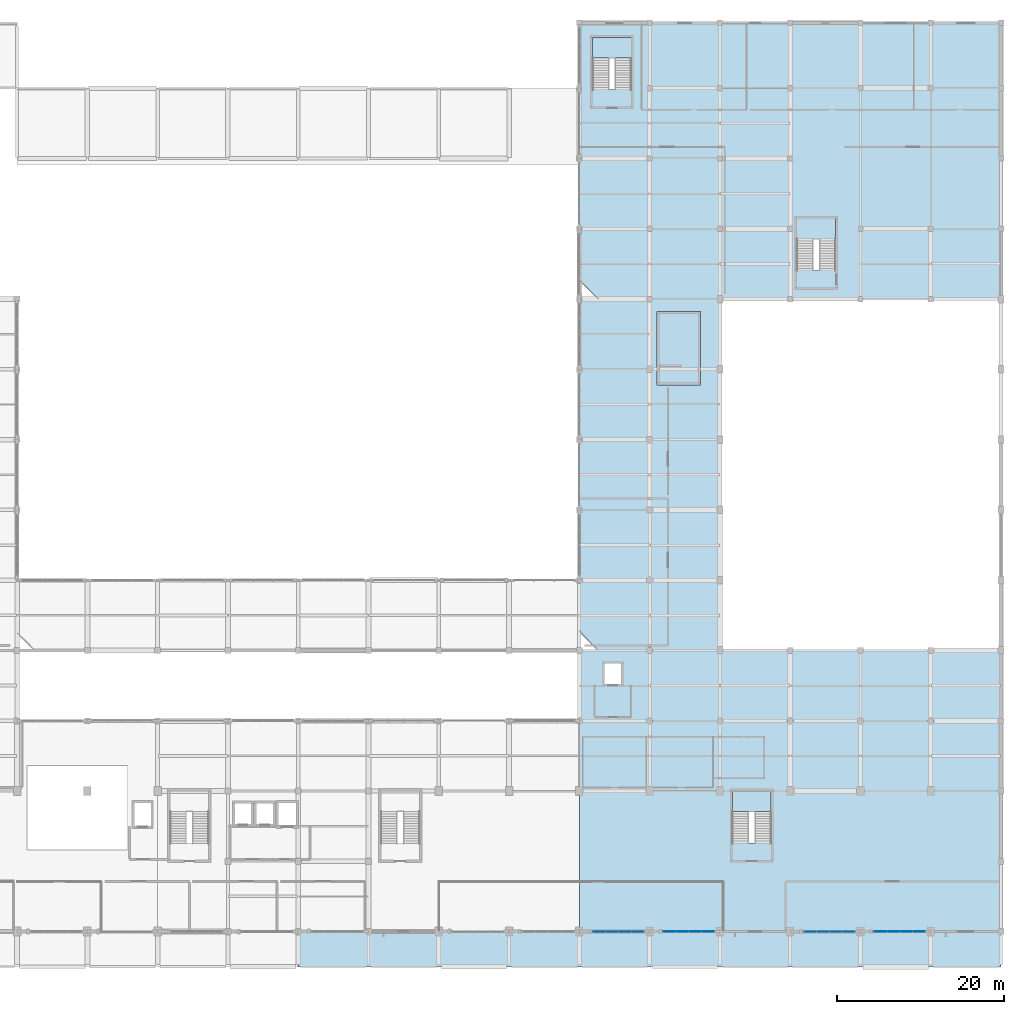
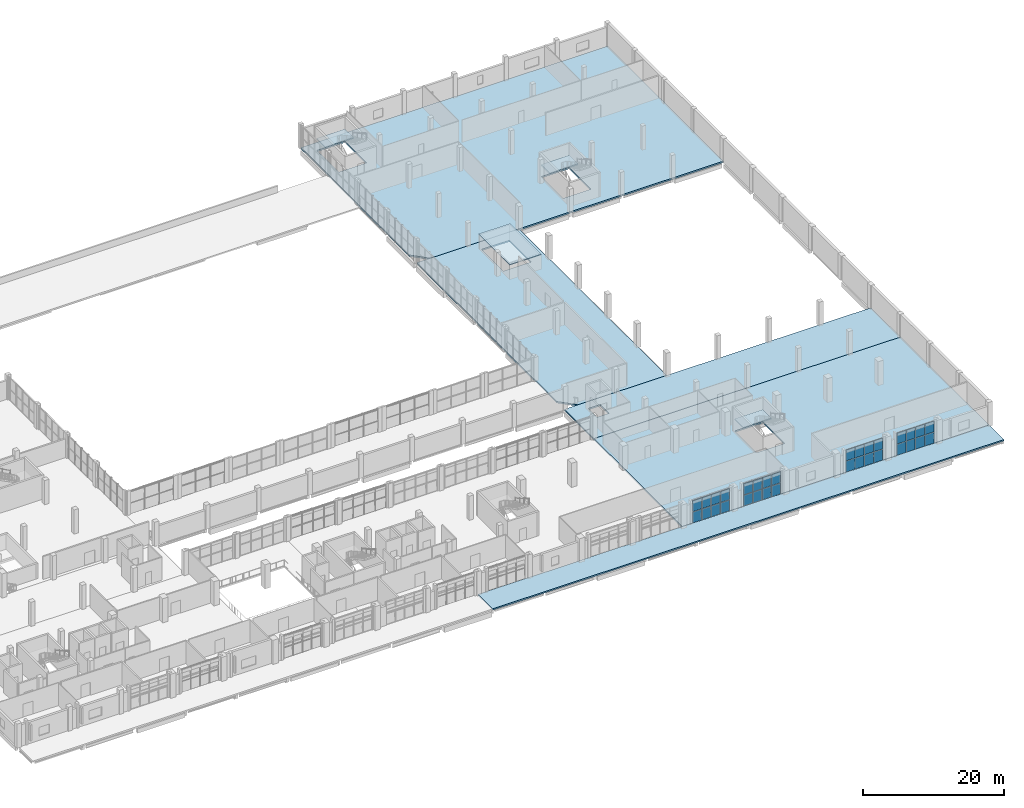
# One storey, part 45 of 59: 32 plates, 9 slabs, 7 elements without a shape of their own.
"""IFC4 building model written with IfcOpenShell, lengths in metres."""

from ifc_helpers import new_model, si_unit, derived_unit, direction, frame, origin, origin_2d, place, context, subcontext, project, spatial, polyline, rectangle, outline, extrude, material, layer, layer_set, type_object, element, aggregate, save


model = new_model("IFC4")

# Units and contexts
model_context = context("Model", 3, precision=1e-05, world=origin(), true_north=direction((0.0, 1.0)))
body_context = subcontext(model_context, "Body", "Model", "MODEL_VIEW")
ifc_project = project(units=[si_unit("LENGTHUNIT", "METRE"), si_unit("AREAUNIT", "SQUARE_METRE"), si_unit("VOLUMEUNIT", "CUBIC_METRE"), si_unit("PLANEANGLEUNIT", "RADIAN"), si_unit("MASSUNIT", "GRAM", prefix="KILO"), derived_unit("THERMALTRANSMITTANCEUNIT", [(si_unit("POWERUNIT", "WATT"), 1), (si_unit("LENGTHUNIT", "METRE"), -2), (si_unit("THERMODYNAMICTEMPERATUREUNIT", "KELVIN"), -1)])], contexts=[model_context])

# Site, building, storey
site_placement = place(None, origin())
site = spatial("IfcSite", under=ifc_project, at=site_placement, CompositionType="ELEMENT")
building_placement = place(site_placement, origin())
building = spatial("IfcBuilding", under=site, at=building_placement, Name="Barrovel Congress Hotel", CompositionType="ELEMENT")
storey_placement = place(building_placement, frame((0.0, 0.0, 9.89990234375)))
storey = spatial("IfcBuildingStorey", under=building, at=storey_placement, Name="L02", CompositionType="ELEMENT", Elevation=9.89990234375)

# Curtain wall, plates
ifc_material_1 = material(Name="Anodised Aluminium Alloy 6063-T6", Category="aluminium")
curtain_wall_type = type_object("IfcCurtainWallType", Name="CW-ST-7200x3600", PredefinedType="USERDEFINED", material=ifc_material_1)
curtain_wall_1_placement = place(storey_placement, origin())
curtain_wall_1 = element("IfcCurtainWall", 1, at=curtain_wall_1_placement, inside=storey, type_object=curtain_wall_type, Name="CW:L02:S:15", ObjectType="STICK CURTAIN WALL", PredefinedType="USERDEFINED")
ifc_material_2 = material(Name="Double Low-E Insulated Glazing", Category="glass")
ifc_layer_1 = layer(ifc_material_2, 0.028076171875)
ifc_layer_set_1 = layer_set([ifc_layer_1], Name="Double Low-E Insulated Glazing")
plate_type_1 = type_object("IfcPlateType", Name="CWP-28", PredefinedType="CURTAIN_PANEL", material=ifc_layer_set_1)
plate_1_placement = place(storey_placement, frame((128.385009765625, 4.199951171875, 0.030029296875), z_axis=(0.0, 0.0, 1.0), x_axis=(1.0, 0.0, 0.0)))
plate_1 = element("IfcPlate", 2, at=plate_1_placement, type_object=plate_type_1, Name="CW:L02:S:15:P0-0", PredefinedType="CURTAIN_PANEL", context=body_context, shape_type="SweptSolid", body=[
    extrude(rectangle(XDim=1.469970703125, YDim=0.028076171875, at=origin_2d()), origin(), (0.0, 0.0, 1.0), 1.89990234375),
])
plate_2_placement = place(storey_placement, frame((128.385009765625, 4.199951171875, 1.990234375), z_axis=(0.0, 0.0, 1.0), x_axis=(1.0, 0.0, 0.0)))
plate_2 = element("IfcPlate", 3, at=plate_2_placement, type_object=plate_type_1, Name="CW:L02:S:15:P0-1", PredefinedType="CURTAIN_PANEL", context=body_context, shape_type="SweptSolid", body=[
    extrude(rectangle(XDim=1.469970703125, YDim=0.028076171875, at=origin_2d()), origin(), (0.0, 0.0, 1.0), 1.89990234375),
])
plate_3_placement = place(storey_placement, frame((129.9150390625, 4.199951171875, 0.030029296875), z_axis=(0.0, 0.0, 1.0), x_axis=(1.0, 0.0, 0.0)))
plate_3 = element("IfcPlate", 4, at=plate_3_placement, type_object=plate_type_1, Name="CW:L02:S:15:P1-0", PredefinedType="CURTAIN_PANEL", context=body_context, shape_type="SweptSolid", body=[
    extrude(rectangle(XDim=1.469970703125, YDim=0.028076171875, at=origin_2d()), origin(), (0.0, 0.0, 1.0), 1.89990234375),
])
plate_4_placement = place(storey_placement, frame((129.9150390625, 4.199951171875, 1.990234375), z_axis=(0.0, 0.0, 1.0), x_axis=(1.0, 0.0, 0.0)))
plate_4 = element("IfcPlate", 5, at=plate_4_placement, type_object=plate_type_1, Name="CW:L02:S:15:P1-1", PredefinedType="CURTAIN_PANEL", context=body_context, shape_type="SweptSolid", body=[
    extrude(rectangle(XDim=1.469970703125, YDim=0.028076171875, at=origin_2d()), origin(), (0.0, 0.0, 1.0), 1.89990234375),
])
plate_5_placement = place(storey_placement, frame((131.445068359375, 4.199951171875, 0.030029296875), z_axis=(0.0, 0.0, 1.0), x_axis=(1.0, 0.0, 0.0)))
plate_5 = element("IfcPlate", 6, at=plate_5_placement, type_object=plate_type_1, Name="CW:L02:S:15:P2-0", PredefinedType="CURTAIN_PANEL", context=body_context, shape_type="SweptSolid", body=[
    extrude(rectangle(XDim=1.469970703125, YDim=0.028076171875, at=origin_2d()), origin(), (0.0, 0.0, 1.0), 1.89990234375),
])
plate_6_placement = place(storey_placement, frame((131.445068359375, 4.199951171875, 1.990234375), z_axis=(0.0, 0.0, 1.0), x_axis=(1.0, 0.0, 0.0)))
plate_6 = element("IfcPlate", 7, at=plate_6_placement, type_object=plate_type_1, Name="CW:L02:S:15:P2-1", PredefinedType="CURTAIN_PANEL", context=body_context, shape_type="SweptSolid", body=[
    extrude(rectangle(XDim=1.469970703125, YDim=0.028076171875, at=origin_2d()), origin(), (0.0, 0.0, 1.0), 1.89990234375),
])
plate_7_placement = place(storey_placement, frame((132.97509765625, 4.199951171875, 0.030029296875), z_axis=(0.0, 0.0, 1.0), x_axis=(1.0, 0.0, 0.0)))
plate_7 = element("IfcPlate", 8, at=plate_7_placement, type_object=plate_type_1, Name="CW:L02:S:15:P3-0", PredefinedType="CURTAIN_PANEL", context=body_context, shape_type="SweptSolid", body=[
    extrude(rectangle(XDim=1.469970703125, YDim=0.028076171875, at=origin_2d()), origin(), (0.0, 0.0, 1.0), 1.89990234375),
])
plate_8_placement = place(storey_placement, frame((132.97509765625, 4.199951171875, 1.990234375), z_axis=(0.0, 0.0, 1.0), x_axis=(1.0, 0.0, 0.0)))
plate_8 = element("IfcPlate", 9, at=plate_8_placement, type_object=plate_type_1, Name="CW:L02:S:15:P3-1", PredefinedType="CURTAIN_PANEL", context=body_context, shape_type="SweptSolid", body=[
    extrude(rectangle(XDim=1.469970703125, YDim=0.028076171875, at=origin_2d()), origin(), (0.0, 0.0, 1.0), 1.89990234375),
])
aggregate(curtain_wall_1, [plate_1, plate_2, plate_3, plate_4, plate_5, plate_6, plate_7, plate_8])

curtain_wall_2_placement = place(storey_placement, origin())
curtain_wall_2 = element("IfcCurtainWall", 10, at=curtain_wall_2_placement, inside=storey, type_object=curtain_wall_type, Name="CW:L02:S:18", ObjectType="STICK CURTAIN WALL", PredefinedType="USERDEFINED")
plate_9_placement = place(storey_placement, frame((153.5849609375, 4.199951171875, 0.030029296875), z_axis=(0.0, 0.0, 1.0), x_axis=(1.0, 0.0, 0.0)))
plate_9 = element("IfcPlate", 11, at=plate_9_placement, type_object=plate_type_1, Name="CW:L02:S:18:P0-0", PredefinedType="CURTAIN_PANEL", context=body_context, shape_type="SweptSolid", body=[
    extrude(rectangle(XDim=1.469970703125, YDim=0.028076171875, at=origin_2d()), origin(), (0.0, 0.0, 1.0), 1.89990234375),
])
plate_10_placement = place(storey_placement, frame((153.5849609375, 4.199951171875, 1.990234375), z_axis=(0.0, 0.0, 1.0), x_axis=(1.0, 0.0, 0.0)))
plate_10 = element("IfcPlate", 12, at=plate_10_placement, type_object=plate_type_1, Name="CW:L02:S:18:P0-1", PredefinedType="CURTAIN_PANEL", context=body_context, shape_type="SweptSolid", body=[
    extrude(rectangle(XDim=1.469970703125, YDim=0.028076171875, at=origin_2d()), origin(), (0.0, 0.0, 1.0), 1.89990234375),
])
plate_11_placement = place(storey_placement, frame((155.114990234375, 4.199951171875, 0.030029296875), z_axis=(0.0, 0.0, 1.0), x_axis=(1.0, 0.0, 0.0)))
plate_11 = element("IfcPlate", 13, at=plate_11_placement, type_object=plate_type_1, Name="CW:L02:S:18:P1-0", PredefinedType="CURTAIN_PANEL", context=body_context, shape_type="SweptSolid", body=[
    extrude(rectangle(XDim=1.469970703125, YDim=0.028076171875, at=origin_2d()), origin(), (0.0, 0.0, 1.0), 1.89990234375),
])
plate_12_placement = place(storey_placement, frame((155.114990234375, 4.199951171875, 1.990234375), z_axis=(0.0, 0.0, 1.0), x_axis=(1.0, 0.0, 0.0)))
plate_12 = element("IfcPlate", 14, at=plate_12_placement, type_object=plate_type_1, Name="CW:L02:S:18:P1-1", PredefinedType="CURTAIN_PANEL", context=body_context, shape_type="SweptSolid", body=[
    extrude(rectangle(XDim=1.469970703125, YDim=0.028076171875, at=origin_2d()), origin(), (0.0, 0.0, 1.0), 1.89990234375),
])
plate_13_placement = place(storey_placement, frame((156.64501953125, 4.199951171875, 0.030029296875), z_axis=(0.0, 0.0, 1.0), x_axis=(1.0, 0.0, 0.0)))
plate_13 = element("IfcPlate", 15, at=plate_13_placement, type_object=plate_type_1, Name="CW:L02:S:18:P2-0", PredefinedType="CURTAIN_PANEL", context=body_context, shape_type="SweptSolid", body=[
    extrude(rectangle(XDim=1.469970703125, YDim=0.028076171875, at=origin_2d()), origin(), (0.0, 0.0, 1.0), 1.89990234375),
])
plate_14_placement = place(storey_placement, frame((156.64501953125, 4.199951171875, 1.990234375), z_axis=(0.0, 0.0, 1.0), x_axis=(1.0, 0.0, 0.0)))
plate_14 = element("IfcPlate", 16, at=plate_14_placement, type_object=plate_type_1, Name="CW:L02:S:18:P2-1", PredefinedType="CURTAIN_PANEL", context=body_context, shape_type="SweptSolid", body=[
    extrude(rectangle(XDim=1.469970703125, YDim=0.028076171875, at=origin_2d()), origin(), (0.0, 0.0, 1.0), 1.89990234375),
])
plate_15_placement = place(storey_placement, frame((158.175048828125, 4.199951171875, 0.030029296875), z_axis=(0.0, 0.0, 1.0), x_axis=(1.0, 0.0, 0.0)))
plate_15 = element("IfcPlate", 17, at=plate_15_placement, type_object=plate_type_1, Name="CW:L02:S:18:P3-0", PredefinedType="CURTAIN_PANEL", context=body_context, shape_type="SweptSolid", body=[
    extrude(rectangle(XDim=1.469970703125, YDim=0.028076171875, at=origin_2d()), origin(), (0.0, 0.0, 1.0), 1.89990234375),
])
plate_16_placement = place(storey_placement, frame((158.175048828125, 4.199951171875, 1.990234375), z_axis=(0.0, 0.0, 1.0), x_axis=(1.0, 0.0, 0.0)))
plate_16 = element("IfcPlate", 18, at=plate_16_placement, type_object=plate_type_1, Name="CW:L02:S:18:P3-1", PredefinedType="CURTAIN_PANEL", context=body_context, shape_type="SweptSolid", body=[
    extrude(rectangle(XDim=1.469970703125, YDim=0.028076171875, at=origin_2d()), origin(), (0.0, 0.0, 1.0), 1.89990234375),
])
aggregate(curtain_wall_2, [plate_9, plate_10, plate_11, plate_12, plate_13, plate_14, plate_15, plate_16])

curtain_wall_3_placement = place(storey_placement, origin())
curtain_wall_3 = element("IfcCurtainWall", 19, at=curtain_wall_3_placement, inside=storey, type_object=curtain_wall_type, Name="CW:L02:S:16", ObjectType="STICK CURTAIN WALL", PredefinedType="USERDEFINED")
ifc_layer_2 = layer(ifc_material_2, 0.031982421875)
ifc_layer_set_2 = layer_set([ifc_layer_2], Name="Double Low-E Insulated Glazing")
plate_type_2 = type_object("IfcPlateType", Name="CWP-32", PredefinedType="CURTAIN_PANEL", material=ifc_layer_set_2)
plate_17_placement = place(storey_placement, frame((136.784912109375, 4.199951171875, 0.030029296875), z_axis=(0.0, 0.0, 1.0), x_axis=(1.0, 0.0, 0.0)))
plate_17 = element("IfcPlate", 20, at=plate_17_placement, type_object=plate_type_2, Name="CW:L02:S:16:P0-0", PredefinedType="CURTAIN_PANEL", context=body_context, shape_type="SweptSolid", body=[
    extrude(rectangle(XDim=1.469970703125, YDim=0.031982421875, at=origin_2d()), origin(), (0.0, 0.0, 1.0), 1.89990234375),
])
plate_18_placement = place(storey_placement, frame((136.784912109375, 4.199951171875, 1.990234375), z_axis=(0.0, 0.0, 1.0), x_axis=(1.0, 0.0, 0.0)))
plate_18 = element("IfcPlate", 21, at=plate_18_placement, type_object=plate_type_2, Name="CW:L02:S:16:P0-1", PredefinedType="CURTAIN_PANEL", context=body_context, shape_type="SweptSolid", body=[
    extrude(rectangle(XDim=1.469970703125, YDim=0.031982421875, at=origin_2d()), origin(), (0.0, 0.0, 1.0), 1.89990234375),
])
plate_19_placement = place(storey_placement, frame((138.31494140625, 4.199951171875, 0.030029296875), z_axis=(0.0, 0.0, 1.0), x_axis=(1.0, 0.0, 0.0)))
plate_19 = element("IfcPlate", 22, at=plate_19_placement, type_object=plate_type_2, Name="CW:L02:S:16:P1-0", PredefinedType="CURTAIN_PANEL", context=body_context, shape_type="SweptSolid", body=[
    extrude(rectangle(XDim=1.469970703125, YDim=0.031982421875, at=origin_2d()), origin(), (0.0, 0.0, 1.0), 1.89990234375),
])
plate_20_placement = place(storey_placement, frame((138.31494140625, 4.199951171875, 1.990234375), z_axis=(0.0, 0.0, 1.0), x_axis=(1.0, 0.0, 0.0)))
plate_20 = element("IfcPlate", 23, at=plate_20_placement, type_object=plate_type_2, Name="CW:L02:S:16:P1-1", PredefinedType="CURTAIN_PANEL", context=body_context, shape_type="SweptSolid", body=[
    extrude(rectangle(XDim=1.469970703125, YDim=0.031982421875, at=origin_2d()), origin(), (0.0, 0.0, 1.0), 1.89990234375),
])
plate_21_placement = place(storey_placement, frame((139.844970703125, 4.199951171875, 0.030029296875), z_axis=(0.0, 0.0, 1.0), x_axis=(1.0, 0.0, 0.0)))
plate_21 = element("IfcPlate", 24, at=plate_21_placement, type_object=plate_type_2, Name="CW:L02:S:16:P2-0", PredefinedType="CURTAIN_PANEL", context=body_context, shape_type="SweptSolid", body=[
    extrude(rectangle(XDim=1.469970703125, YDim=0.031982421875, at=origin_2d()), origin(), (0.0, 0.0, 1.0), 1.89990234375),
])
plate_22_placement = place(storey_placement, frame((139.844970703125, 4.199951171875, 1.990234375), z_axis=(0.0, 0.0, 1.0), x_axis=(1.0, 0.0, 0.0)))
plate_22 = element("IfcPlate", 25, at=plate_22_placement, type_object=plate_type_2, Name="CW:L02:S:16:P2-1", PredefinedType="CURTAIN_PANEL", context=body_context, shape_type="SweptSolid", body=[
    extrude(rectangle(XDim=1.469970703125, YDim=0.031982421875, at=origin_2d()), origin(), (0.0, 0.0, 1.0), 1.89990234375),
])
plate_23_placement = place(storey_placement, frame((141.375, 4.199951171875, 0.030029296875), z_axis=(0.0, 0.0, 1.0), x_axis=(1.0, 0.0, 0.0)))
plate_23 = element("IfcPlate", 26, at=plate_23_placement, type_object=plate_type_2, Name="CW:L02:S:16:P3-0", PredefinedType="CURTAIN_PANEL", context=body_context, shape_type="SweptSolid", body=[
    extrude(rectangle(XDim=1.469970703125, YDim=0.031982421875, at=origin_2d()), origin(), (0.0, 0.0, 1.0), 1.89990234375),
])
plate_24_placement = place(storey_placement, frame((141.375, 4.199951171875, 1.990234375), z_axis=(0.0, 0.0, 1.0), x_axis=(1.0, 0.0, 0.0)))
plate_24 = element("IfcPlate", 27, at=plate_24_placement, type_object=plate_type_2, Name="CW:L02:S:16:P3-1", PredefinedType="CURTAIN_PANEL", context=body_context, shape_type="SweptSolid", body=[
    extrude(rectangle(XDim=1.469970703125, YDim=0.031982421875, at=origin_2d()), origin(), (0.0, 0.0, 1.0), 1.89990234375),
])
aggregate(curtain_wall_3, [plate_17, plate_18, plate_19, plate_20, plate_21, plate_22, plate_23, plate_24])

curtain_wall_4_placement = place(storey_placement, origin())
curtain_wall_4 = element("IfcCurtainWall", 28, at=curtain_wall_4_placement, inside=storey, type_object=curtain_wall_type, Name="CW:L02:S:19", ObjectType="STICK CURTAIN WALL", PredefinedType="USERDEFINED")
plate_25_placement = place(storey_placement, frame((161.985107421875, 4.199951171875, 0.030029296875), z_axis=(0.0, 0.0, 1.0), x_axis=(1.0, 0.0, 0.0)))
plate_25 = element("IfcPlate", 29, at=plate_25_placement, type_object=plate_type_2, Name="CW:L02:S:19:P0-0", PredefinedType="CURTAIN_PANEL", context=body_context, shape_type="SweptSolid", body=[
    extrude(rectangle(XDim=1.469970703125, YDim=0.031982421875, at=origin_2d()), origin(), (0.0, 0.0, 1.0), 1.89990234375),
])
plate_26_placement = place(storey_placement, frame((161.985107421875, 4.199951171875, 1.990234375), z_axis=(0.0, 0.0, 1.0), x_axis=(1.0, 0.0, 0.0)))
plate_26 = element("IfcPlate", 30, at=plate_26_placement, type_object=plate_type_2, Name="CW:L02:S:19:P0-1", PredefinedType="CURTAIN_PANEL", context=body_context, shape_type="SweptSolid", body=[
    extrude(rectangle(XDim=1.469970703125, YDim=0.031982421875, at=origin_2d()), origin(), (0.0, 0.0, 1.0), 1.89990234375),
])
plate_27_placement = place(storey_placement, frame((163.514892578125, 4.199951171875, 0.030029296875), z_axis=(0.0, 0.0, 1.0), x_axis=(1.0, 0.0, 0.0)))
plate_27 = element("IfcPlate", 31, at=plate_27_placement, type_object=plate_type_2, Name="CW:L02:S:19:P1-0", PredefinedType="CURTAIN_PANEL", context=body_context, shape_type="SweptSolid", body=[
    extrude(rectangle(XDim=1.469970703125, YDim=0.031982421875, at=origin_2d()), origin(), (0.0, 0.0, 1.0), 1.89990234375),
])
plate_28_placement = place(storey_placement, frame((163.514892578125, 4.199951171875, 1.990234375), z_axis=(0.0, 0.0, 1.0), x_axis=(1.0, 0.0, 0.0)))
plate_28 = element("IfcPlate", 32, at=plate_28_placement, type_object=plate_type_2, Name="CW:L02:S:19:P1-1", PredefinedType="CURTAIN_PANEL", context=body_context, shape_type="SweptSolid", body=[
    extrude(rectangle(XDim=1.469970703125, YDim=0.031982421875, at=origin_2d()), origin(), (0.0, 0.0, 1.0), 1.89990234375),
])
plate_29_placement = place(storey_placement, frame((165.044921875, 4.199951171875, 0.030029296875), z_axis=(0.0, 0.0, 1.0), x_axis=(1.0, 0.0, 0.0)))
plate_29 = element("IfcPlate", 33, at=plate_29_placement, type_object=plate_type_2, Name="CW:L02:S:19:P2-0", PredefinedType="CURTAIN_PANEL", context=body_context, shape_type="SweptSolid", body=[
    extrude(rectangle(XDim=1.469970703125, YDim=0.031982421875, at=origin_2d()), origin(), (0.0, 0.0, 1.0), 1.89990234375),
])
plate_30_placement = place(storey_placement, frame((165.044921875, 4.199951171875, 1.990234375), z_axis=(0.0, 0.0, 1.0), x_axis=(1.0, 0.0, 0.0)))
plate_30 = element("IfcPlate", 34, at=plate_30_placement, type_object=plate_type_2, Name="CW:L02:S:19:P2-1", PredefinedType="CURTAIN_PANEL", context=body_context, shape_type="SweptSolid", body=[
    extrude(rectangle(XDim=1.469970703125, YDim=0.031982421875, at=origin_2d()), origin(), (0.0, 0.0, 1.0), 1.89990234375),
])
plate_31_placement = place(storey_placement, frame((166.574951171875, 4.199951171875, 0.030029296875), z_axis=(0.0, 0.0, 1.0), x_axis=(1.0, 0.0, 0.0)))
plate_31 = element("IfcPlate", 35, at=plate_31_placement, type_object=plate_type_2, Name="CW:L02:S:19:P3-0", PredefinedType="CURTAIN_PANEL", context=body_context, shape_type="SweptSolid", body=[
    extrude(rectangle(XDim=1.469970703125, YDim=0.031982421875, at=origin_2d()), origin(), (0.0, 0.0, 1.0), 1.89990234375),
])
plate_32_placement = place(storey_placement, frame((166.574951171875, 4.199951171875, 1.990234375), z_axis=(0.0, 0.0, 1.0), x_axis=(1.0, 0.0, 0.0)))
plate_32 = element("IfcPlate", 36, at=plate_32_placement, type_object=plate_type_2, Name="CW:L02:S:19:P3-1", PredefinedType="CURTAIN_PANEL", context=body_context, shape_type="SweptSolid", body=[
    extrude(rectangle(XDim=1.469970703125, YDim=0.031982421875, at=origin_2d()), origin(), (0.0, 0.0, 1.0), 1.89990234375),
])
aggregate(curtain_wall_4, [plate_25, plate_26, plate_27, plate_28, plate_29, plate_30, plate_31, plate_32])

# Slabs
ifc_material_3 = material(Name="Concrete C35", Category="concrete")
ifc_layer_3 = layer(ifc_material_3, 0.260009765625)
ifc_layer_set_3 = layer_set([ifc_layer_3], Name="Concrete C35")
slab_type_1 = type_object("IfcSlabType", Name="SL-F260", PredefinedType="FLOOR", material=ifc_layer_set_3)
slab_1_placement = place(storey_placement, frame((0.0, 0.0, -0.260009765625)))
element("IfcSlab", 37, at=slab_1_placement, inside=storey, type_object=slab_type_1, Name="SLAB:L02:V4-3", PredefinedType="FLOOR", context=body_context, shape_type="SweptSolid", body=[
    extrude(outline(polyline([(126.0, 4.199951171875), (176.39990234375, 4.199951171875), (176.39990234375, 29.39990234375), (126.0, 29.39990234375), (126.0, 4.199951171875)]), holes=[polyline([(144.300048828125, 14.780029296875), (144.300048828125, 21.0), (148.89990234375, 21.0), (148.89990234375, 14.780029296875), (144.300048828125, 14.780029296875)])]), origin(), (0.0, 0.0, 1.0), 0.260009765625),
])
slab_2_placement = place(storey_placement, frame((0.0, 0.0, -0.260009765625)))
element("IfcSlab", 38, at=slab_2_placement, inside=storey, type_object=slab_type_1, Name="SLAB:L02:V4-5", PredefinedType="FLOOR", context=body_context, shape_type="SweptSolid", body=[
    extrude(outline(polyline([(126.0, 29.39990234375), (176.39990234375, 29.39990234375), (176.39990234375, 37.800048828125), (126.0, 37.800048828125), (126.0, 29.39990234375)]), holes=[polyline([(129.0, 33.75), (129.0, 36.25), (131.0, 36.25), (131.0, 33.75), (129.0, 33.75)])]), origin(), (0.0, 0.0, 1.0), 0.260009765625),
])
slab_3_placement = place(storey_placement, frame((0.0, 0.0, -0.260009765625)))
element("IfcSlab", 39, at=slab_3_placement, inside=storey, type_object=slab_type_1, Name="SLAB:L02:V2-SALON", PredefinedType="FLOOR", context=body_context, shape_type="SweptSolid", body=[
    extrude(outline(polyline([(128.199951171875, 37.800048828125), (142.800048828125, 37.800048828125), (142.800048828125, 79.800048828125), (126.0, 79.800048828125), (126.0, 40.0), (128.199951171875, 37.800048828125)]), holes=[polyline([(135.60009765625, 71.820068359375), (135.60009765625, 78.0400390625), (140.199951171875, 78.0400390625), (140.199951171875, 71.820068359375), (135.60009765625, 71.820068359375)])]), origin(), (0.0, 0.0, 1.0), 0.260009765625),
])
slab_4_placement = place(storey_placement, frame((0.0, 0.0, -0.260009765625)))
element("IfcSlab", 40, at=slab_4_placement, inside=storey, type_object=slab_type_1, Name="SLAB:L02:V3-SPA", PredefinedType="FLOOR", context=body_context, shape_type="SweptSolid", body=[
    extrude(outline(polyline([(128.199951171875, 79.800048828125), (176.39990234375, 79.800048828125), (176.39990234375, 112.800048828125), (126.0, 112.800048828125), (126.0, 82.0), (128.199951171875, 79.800048828125)]), holes=[polyline([(152.0, 83.219970703125), (152.0, 89.43994140625), (156.60009765625, 89.43994140625), (156.60009765625, 83.219970703125), (152.0, 83.219970703125)]), polyline([(127.60009765625, 104.820068359375), (127.60009765625, 111.0400390625), (132.199951171875, 111.0400390625), (132.199951171875, 104.820068359375), (127.60009765625, 104.820068359375)])]), origin(), (0.0, 0.0, 1.0), 0.260009765625),
])

# Stair, slab
ifc_material_4 = material(Name="Concrete C40", Category="concrete")
stair_type_1 = type_object("IfcStairType", Name="STR-HT-420", PredefinedType="HALF_TURN_STAIR", material=ifc_material_4)
stair_1_placement = place(storey_placement, origin())
stair_1 = element("IfcStair", 41, at=stair_1_placement, inside=storey, type_object=stair_type_1, Name="Exit Stair XS-04 (L02)", PredefinedType="HALF_TURN_STAIR")
ifc_layer_4 = layer(ifc_material_4, 0.18994140625)
ifc_layer_set_4 = layer_set([ifc_layer_4], Name="Concrete C40")
slab_type_2 = type_object("IfcSlabType", Name="SL-LDG-190", PredefinedType="LANDING", material=ifc_layer_set_4)
slab_5_placement = place(storey_placement, frame((0.0, 0.0, 1.91015625)))
slab_5 = element("IfcSlab", 42, at=slab_5_placement, type_object=slab_type_2, Name="STAIR:XS-04:L02:LDG", PredefinedType="LANDING", context=body_context, shape_type="SweptSolid", body=[
    extrude(outline(polyline([(144.280029296875, 18.544921875), (148.919921875, 18.544921875), (148.919921875, 21.02001953125), (144.280029296875, 21.02001953125), (144.280029296875, 18.544921875)])), origin(), (0.0, 0.0, 1.0), 0.18994140625),
])
aggregate(stair_1, [slab_5])

stair_type_2 = type_object("IfcStairType", Name="STR-DR-420", PredefinedType="DOUBLE_RETURN_STAIR", material=ifc_material_4)
stair_2_placement = place(storey_placement, origin())
stair_2 = element("IfcStair", 43, at=stair_2_placement, inside=storey, type_object=stair_type_2, Name="Exit Stair XS-10 (L02)", PredefinedType="DOUBLE_RETURN_STAIR")
slab_6_placement = place(storey_placement, frame((0.0, 0.0, 1.91015625)))
slab_6 = element("IfcSlab", 44, at=slab_6_placement, type_object=slab_type_2, Name="STAIR:XS-10:L02:LDG", PredefinedType="LANDING", context=body_context, shape_type="SweptSolid", body=[
    extrude(outline(polyline([(127.580078125, 108.5849609375), (132.219970703125, 108.5849609375), (132.219970703125, 111.06005859375), (127.580078125, 111.06005859375), (127.580078125, 108.5849609375)])), origin(), (0.0, 0.0, 1.0), 0.18994140625),
])
aggregate(stair_2, [slab_6])

stair_3_placement = place(storey_placement, origin())
stair_3 = element("IfcStair", 45, at=stair_3_placement, inside=storey, type_object=stair_type_1, Name="Exit Stair XS-06 (L02)", PredefinedType="HALF_TURN_STAIR")
ifc_layer_5 = layer(ifc_material_4, 0.22998046875)
ifc_layer_set_5 = layer_set([ifc_layer_5], Name="Concrete C40")
slab_type_3 = type_object("IfcSlabType", Name="SL-LDG-230", PredefinedType="LANDING", material=ifc_layer_set_5)
slab_7_placement = place(storey_placement, frame((0.0, 0.0, 1.8701171875)))
slab_7 = element("IfcSlab", 46, at=slab_7_placement, type_object=slab_type_3, Name="STAIR:XS-06:L02:LDG", PredefinedType="LANDING", context=body_context, shape_type="SweptSolid", body=[
    extrude(outline(polyline([(151.97998046875, 86.985107421875), (156.6201171875, 86.985107421875), (156.6201171875, 89.4599609375), (151.97998046875, 89.4599609375), (151.97998046875, 86.985107421875)])), origin(), (0.0, 0.0, 1.0), 0.22998046875),
])
aggregate(stair_3, [slab_7])

# Slabs
ifc_layer_6 = layer(ifc_material_3, 0.139892578125)
ifc_layer_set_6 = layer_set([ifc_layer_6], Name="Concrete C35")
slab_type_4 = type_object("IfcSlabType", Name="SL-R140", PredefinedType="ROOF", material=ifc_layer_set_6)
slab_8_placement = place(storey_placement, frame((0.0, 0.0, 2.510009765625)))
element("IfcSlab", 47, at=slab_8_placement, inside=storey, type_object=slab_type_4, Name="Stair Headhouse Roof XS-09", PredefinedType="ROOF", context=body_context, shape_type="SweptSolid", body=[
    extrude(outline(polyline([(135.300048828125, 69.5), (140.5, 69.5), (140.5, 78.340087890625), (135.300048828125, 78.340087890625), (135.300048828125, 69.5)])), origin(), (0.0, 0.0, 1.0), 0.14013671875),
])
ifc_layer_7 = layer(ifc_material_3, 0.239990234375)
ifc_layer_set_7 = layer_set([ifc_layer_7], Name="Concrete C35")
slab_type_5 = type_object("IfcSlabType", Name="SL-R240", PredefinedType="ROOF", material=ifc_layer_set_7)
slab_9_placement = place(storey_placement, frame((0.0, 0.0, -0.239990234375)))
element("IfcSlab", 48, at=slab_9_placement, inside=storey, type_object=slab_type_5, Name="SLAB:L02:V5-ARCADE-ROOF-E", PredefinedType="ROOF", context=body_context, shape_type="SweptSolid", body=[
    extrude(outline(polyline([(92.39990234375, 0.0), (176.39990234375, 0.0), (176.39990234375, 4.199951171875), (92.39990234375, 4.199951171875), (92.39990234375, 0.0)])), origin(), (0.0, 0.0, 1.0), 0.239990234375),
])

save(model, "model.ifc")
